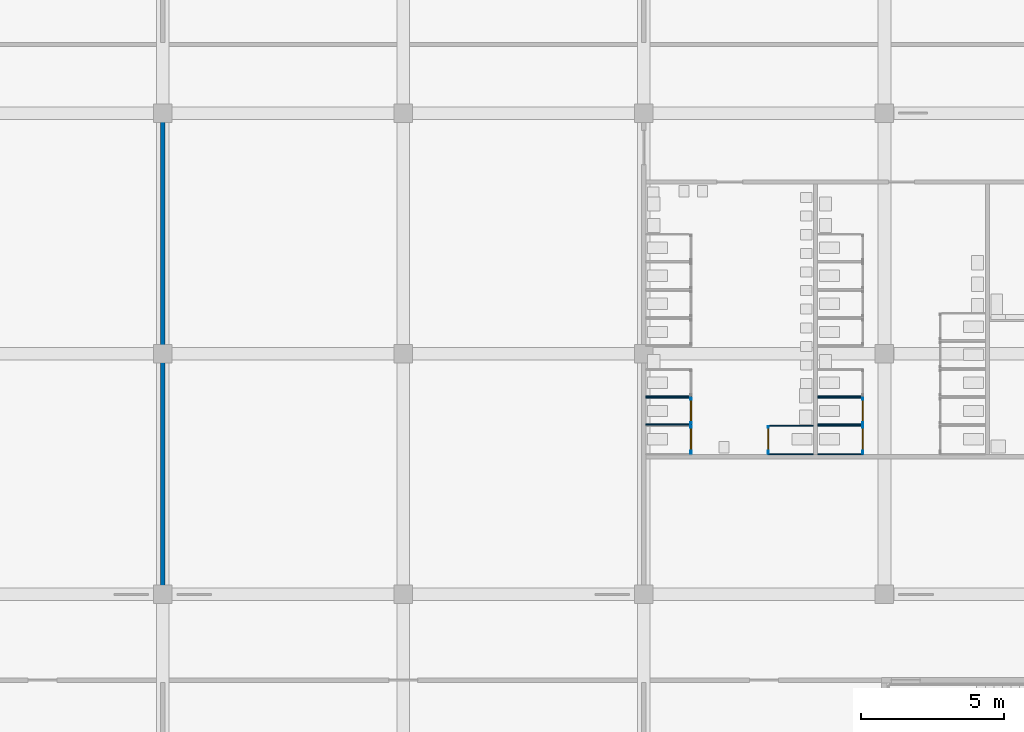
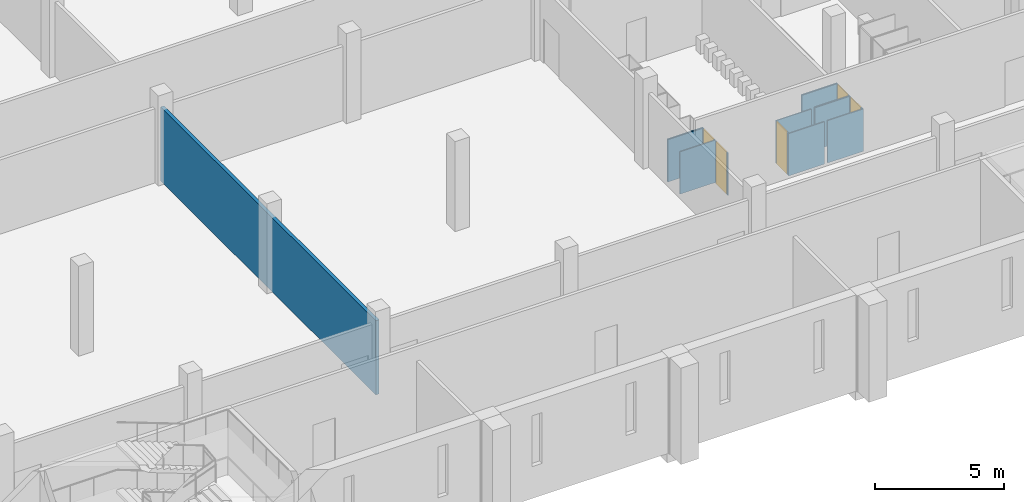
# One storey, part 31 of 64: 16 walls, 5 doors, 5 openings.
"""IFC4 building model written with IfcOpenShell, lengths in metres."""

from ifc_helpers import new_model, si_unit, direction, frame, frame_2d, origin, place, context, subcontext, project, spatial, rectangle, extrude, material, layer, layer_set, type_object, element, fill, save


model = new_model("IFC4")

# Units and contexts
model_context = context("Model", 3, precision=1e-05, world=origin(), true_north=direction((0.0, 1.0)))
body_context = subcontext(model_context, "Body", "Model", "MODEL_VIEW")
ifc_project = project(units=[si_unit("LENGTHUNIT", "METRE"), si_unit("AREAUNIT", "SQUARE_METRE"), si_unit("VOLUMEUNIT", "CUBIC_METRE"), si_unit("PLANEANGLEUNIT", "RADIAN"), si_unit("MASSUNIT", "GRAM", prefix="KILO")], contexts=[model_context])

# Site, building, storey
site_placement = place(None, origin())
site = spatial("IfcSite", under=ifc_project, at=site_placement, CompositionType="ELEMENT")
building_placement = place(site_placement, origin())
building = spatial("IfcBuilding", under=site, at=building_placement, Name="Rulbaag Community and Learning Centre", CompositionType="ELEMENT")
storey_placement = place(building_placement, frame((0.0, 0.0, 5.39990234375)))
storey = spatial("IfcBuildingStorey", under=building, at=storey_placement, Name="L01", CompositionType="ELEMENT", Elevation=5.39990234375)

# Wall, opening, door
ifc_material_1 = material(Name="High pressure laminate", Category="wood")
ifc_layer_1 = layer(ifc_material_1, 0.0400390625)
ifc_layer_set_1 = layer_set([ifc_layer_1], Name="CP-40")
wall_type_1 = type_object("IfcWallType", Name="CP-40", PredefinedType="PARTITIONING", material=ifc_layer_set_1)
wall_1_placement = place(storey_placement, frame((152.85009765625, 13.31494140625, 0.0), z_axis=(0.0, 0.0, 1.0), x_axis=(0.0, 1.0, 0.0)))
wall_1 = element("IfcWall", 1, at=wall_1_placement, inside=storey, type_object=wall_type_1, Name="Cubicle partition", PredefinedType="PARTITIONING", context=body_context, shape_type="SweptSolid", body=[
    extrude(rectangle(XDim=0.955078125, YDim=0.0400390625, at=frame_2d((0.4775390625, 0.0))), origin(), (0.0, 0.0, 1.0), 2.0),
])
opening_1_placement = place(wall_1_placement, frame((0.10498046875, 0.0, 0.0)))
opening_1 = element("IfcOpeningElement", 2, at=opening_1_placement, cuts=wall_1, Name="Opening L01-D115", PredefinedType="OPENING", context=body_context, shape_type="SweptSolid", body=[
    extrude(rectangle(XDim=0.800048828125, YDim=2.0, at=frame_2d((0.39990234375, 1.0))), frame((0.0, 0.030029296875, 0.0), z_axis=(0.0, -1.0, 0.0), x_axis=(1.0, 0.0, 0.0)), (0.0, 0.0, 1.0), 0.06005859375),
])
door_type = type_object("IfcDoorType", Name="DC-80", OperationType="SINGLE_SWING_LEFT", PredefinedType="DOOR", material=ifc_material_1)
door_1_placement = place(opening_1_placement, origin())
door_1 = element("IfcDoor", 3, at=door_1_placement, inside=storey, type_object=door_type, Name="Cubicle door", OperationType="SINGLE_SWING_LEFT", OverallHeight=2.0, OverallWidth=0.800048828125, PredefinedType="DOOR", context=body_context, shape_type="SweptSolid", body=[
    extrude(rectangle(XDim=0.800048828125, YDim=2.0, at=frame_2d((0.39990234375, 1.0))), frame((0.0, 0.019775390625, 0.0), z_axis=(0.0, -1.0, 0.0), x_axis=(1.0, 0.0, 0.0)), (0.0, 0.0, 1.0), 0.03955078125),
])
fill(opening_1, door_1)

# Walls
for number, where, z_axis, x_axis, name in (
    (4, (151.27490234375, 14.330078125, 0.0), (0.0, 0.0, 1.0), (1.0, 0.0, 0.0), "Cubicle partition"),
    (5, (151.27490234375, 15.27001953125, 0.0), (0.0, 0.0, 1.0), (1.0, 0.0, 0.0), "Cubicle partition"),
):
    element("IfcWall", number, at=place(storey_placement, frame(where, z_axis=z_axis, x_axis=x_axis)), inside=storey, type_object=wall_type_1, Name=name, PredefinedType="PARTITIONING", context=body_context, shape_type="SweptSolid", body=[
        extrude(rectangle(XDim=1.59521484375, YDim=0.0400390625, at=frame_2d((0.797607421875, 0.0))), origin(), (0.0, 0.0, 1.0), 2.0),
    ])

# Wall, opening, door
wall_2_placement = place(storey_placement, frame((152.85009765625, 14.35009765625, 0.0), z_axis=(0.0, 0.0, 1.0), x_axis=(0.0, 1.0, 0.0)))
wall_2 = element("IfcWall", 6, at=wall_2_placement, inside=storey, type_object=wall_type_1, Name="Cubicle partition", PredefinedType="PARTITIONING", context=body_context, shape_type="SweptSolid", body=[
    extrude(rectangle(XDim=0.89990234375, YDim=0.0400390625, at=frame_2d((0.449951171875, 0.0))), origin(), (0.0, 0.0, 1.0), 2.0),
])
opening_2_placement = place(wall_2_placement, frame((0.050048828125, 0.0, 0.0)))
opening_2 = element("IfcOpeningElement", 7, at=opening_2_placement, cuts=wall_2, Name="Opening L01-D116", PredefinedType="OPENING", context=body_context, shape_type="SweptSolid", body=[
    extrude(rectangle(XDim=0.800048828125, YDim=2.0, at=frame_2d((0.39990234375, 1.0))), frame((0.0, 0.030029296875, 0.0), z_axis=(0.0, -1.0, 0.0), x_axis=(1.0, 0.0, 0.0)), (0.0, 0.0, 1.0), 0.06005859375),
])
door_2_placement = place(opening_2_placement, origin())
door_2 = element("IfcDoor", 8, at=door_2_placement, inside=storey, type_object=door_type, Name="Cubicle door", OperationType="SINGLE_SWING_LEFT", OverallHeight=2.0, OverallWidth=0.800048828125, PredefinedType="DOOR", context=body_context, shape_type="SweptSolid", body=[
    extrude(rectangle(XDim=0.800048828125, YDim=2.0, at=frame_2d((0.39990234375, 1.0))), frame((0.0, 0.019775390625, 0.0), z_axis=(0.0, -1.0, 0.0), x_axis=(1.0, 0.0, 0.0)), (0.0, 0.0, 1.0), 0.03955078125),
])
fill(opening_2, door_2)

# Walls
wall_3_placement = place(storey_placement, frame((151.27490234375, 15.31005859375, 0.0), z_axis=(0.0, 0.0, 1.0), x_axis=(1.0, 0.0, 0.0)))
element("IfcWall", 9, at=wall_3_placement, inside=storey, type_object=wall_type_1, Name="Cubicle partition", PredefinedType="PARTITIONING", context=body_context, shape_type="SweptSolid", body=[
    extrude(rectangle(XDim=1.59521484375, YDim=0.0400390625, at=frame_2d((0.797607421875, 0.0))), origin(), (0.0, 0.0, 1.0), 2.0),
])
for number, where, z_axis, x_axis, name in (
    (10, (157.125, 13.294921875, 0.0), (0.0, 0.0, 1.0), (-1.0, 0.0, 0.0), "Cubicle partition"),
    (11, (157.125, 14.2900390625, 0.0), (0.0, 0.0, 1.0), (-1.0, 0.0, 0.0), "Cubicle partition"),
):
    element("IfcWall", number, at=place(storey_placement, frame(where, z_axis=z_axis, x_axis=x_axis)), inside=storey, type_object=wall_type_1, Name=name, PredefinedType="PARTITIONING", context=body_context, shape_type="SweptSolid", body=[
        extrude(rectangle(XDim=1.594970703125, YDim=0.0400390625, at=frame_2d((0.79736328125, 0.0))), origin(), (0.0, 0.0, 1.0), 2.0),
    ])

# Wall, opening, door
wall_4_placement = place(storey_placement, frame((155.550048828125, 13.31494140625, 0.0), z_axis=(0.0, 0.0, 1.0), x_axis=(0.0, 1.0, 0.0)))
wall_4 = element("IfcWall", 12, at=wall_4_placement, inside=storey, type_object=wall_type_1, Name="Cubicle partition", PredefinedType="PARTITIONING", context=body_context, shape_type="SweptSolid", body=[
    extrude(rectangle(XDim=0.955078125, YDim=0.0400390625, at=frame_2d((0.4775390625, 0.0))), origin(), (0.0, 0.0, 1.0), 2.0),
])
opening_3_placement = place(wall_4_placement, frame((0.10498046875, 0.0, 0.0)))
opening_3 = element("IfcOpeningElement", 13, at=opening_3_placement, cuts=wall_4, Name="Opening L01-D128", PredefinedType="OPENING", context=body_context, shape_type="SweptSolid", body=[
    extrude(rectangle(XDim=0.800048828125, YDim=2.0, at=frame_2d((0.39990234375, 1.0))), frame((0.0, 0.030029296875, 0.0), z_axis=(0.0, -1.0, 0.0), x_axis=(1.0, 0.0, 0.0)), (0.0, 0.0, 1.0), 0.06005859375),
])
door_3_placement = place(opening_3_placement, origin())
door_3 = element("IfcDoor", 14, at=door_3_placement, inside=storey, type_object=door_type, Name="Cubicle door", OperationType="SINGLE_SWING_LEFT", OverallHeight=2.0, OverallWidth=0.800048828125, PredefinedType="DOOR", context=body_context, shape_type="SweptSolid", body=[
    extrude(rectangle(XDim=0.800048828125, YDim=2.0, at=frame_2d((0.39990234375, 1.0))), frame((0.0, 0.019775390625, 0.0), z_axis=(0.0, -1.0, 0.0), x_axis=(1.0, 0.0, 0.0)), (0.0, 0.0, 1.0), 0.03955078125),
])
fill(opening_3, door_3)

# Walls
for number, where, z_axis, x_axis, name in (
    (15, (157.27490234375, 13.294921875, 0.0), (0.0, 0.0, 1.0), (1.0, 0.0, 0.0), "Cubicle partition"),
    (16, (157.27490234375, 14.2900390625, 0.0), (0.0, 0.0, 1.0), (1.0, 0.0, 0.0), "Cubicle partition"),
):
    element("IfcWall", number, at=place(storey_placement, frame(where, z_axis=z_axis, x_axis=x_axis)), inside=storey, type_object=wall_type_1, Name=name, PredefinedType="PARTITIONING", context=body_context, shape_type="SweptSolid", body=[
        extrude(rectangle(XDim=1.59521484375, YDim=0.0400390625, at=frame_2d((0.797607421875, 0.0))), origin(), (0.0, 0.0, 1.0), 2.0),
    ])

# Wall, opening, door
wall_5_placement = place(storey_placement, frame((158.85009765625, 13.31494140625, 0.0), z_axis=(0.0, 0.0, 1.0), x_axis=(0.0, 1.0, 0.0)))
wall_5 = element("IfcWall", 17, at=wall_5_placement, inside=storey, type_object=wall_type_1, Name="Cubicle partition", PredefinedType="PARTITIONING", context=body_context, shape_type="SweptSolid", body=[
    extrude(rectangle(XDim=0.955078125, YDim=0.0400390625, at=frame_2d((0.4775390625, 0.0))), origin(), (0.0, 0.0, 1.0), 2.0),
])
opening_4_placement = place(wall_5_placement, frame((0.10498046875, 0.0, 0.0)))
opening_4 = element("IfcOpeningElement", 18, at=opening_4_placement, cuts=wall_5, Name="Opening L01-D132", PredefinedType="OPENING", context=body_context, shape_type="SweptSolid", body=[
    extrude(rectangle(XDim=0.800048828125, YDim=2.0, at=frame_2d((0.39990234375, 1.0))), frame((0.0, 0.030029296875, 0.0), z_axis=(0.0, -1.0, 0.0), x_axis=(1.0, 0.0, 0.0)), (0.0, 0.0, 1.0), 0.06005859375),
])
door_4_placement = place(opening_4_placement, origin())
door_4 = element("IfcDoor", 19, at=door_4_placement, inside=storey, type_object=door_type, Name="Cubicle door", OperationType="SINGLE_SWING_LEFT", OverallHeight=2.0, OverallWidth=0.800048828125, PredefinedType="DOOR", context=body_context, shape_type="SweptSolid", body=[
    extrude(rectangle(XDim=0.800048828125, YDim=2.0, at=frame_2d((0.39990234375, 1.0))), frame((0.0, 0.019775390625, 0.0), z_axis=(0.0, -1.0, 0.0), x_axis=(1.0, 0.0, 0.0)), (0.0, 0.0, 1.0), 0.03955078125),
])
fill(opening_4, door_4)

# Walls
for number, where, z_axis, x_axis, name in (
    (20, (157.27490234375, 14.330078125, 0.0), (0.0, 0.0, 1.0), (1.0, 0.0, 0.0), "Cubicle partition"),
    (21, (157.27490234375, 15.27001953125, 0.0), (0.0, 0.0, 1.0), (1.0, 0.0, 0.0), "Cubicle partition"),
):
    element("IfcWall", number, at=place(storey_placement, frame(where, z_axis=z_axis, x_axis=x_axis)), inside=storey, type_object=wall_type_1, Name=name, PredefinedType="PARTITIONING", context=body_context, shape_type="SweptSolid", body=[
        extrude(rectangle(XDim=1.59521484375, YDim=0.0400390625, at=frame_2d((0.797607421875, 0.0))), origin(), (0.0, 0.0, 1.0), 2.0),
    ])

# Wall, opening, door
wall_6_placement = place(storey_placement, frame((158.85009765625, 14.35009765625, 0.0), z_axis=(0.0, 0.0, 1.0), x_axis=(0.0, 1.0, 0.0)))
wall_6 = element("IfcWall", 22, at=wall_6_placement, inside=storey, type_object=wall_type_1, Name="Cubicle partition", PredefinedType="PARTITIONING", context=body_context, shape_type="SweptSolid", body=[
    extrude(rectangle(XDim=0.89990234375, YDim=0.0400390625, at=frame_2d((0.449951171875, 0.0))), origin(), (0.0, 0.0, 1.0), 2.0),
])
opening_5_placement = place(wall_6_placement, frame((0.050048828125, 0.0, 0.0)))
opening_5 = element("IfcOpeningElement", 23, at=opening_5_placement, cuts=wall_6, Name="Opening L01-D133", PredefinedType="OPENING", context=body_context, shape_type="SweptSolid", body=[
    extrude(rectangle(XDim=0.800048828125, YDim=2.0, at=frame_2d((0.39990234375, 1.0))), frame((0.0, 0.030029296875, 0.0), z_axis=(0.0, -1.0, 0.0), x_axis=(1.0, 0.0, 0.0)), (0.0, 0.0, 1.0), 0.06005859375),
])
door_5_placement = place(opening_5_placement, origin())
door_5 = element("IfcDoor", 24, at=door_5_placement, inside=storey, type_object=door_type, Name="Cubicle door", OperationType="SINGLE_SWING_LEFT", OverallHeight=2.0, OverallWidth=0.800048828125, PredefinedType="DOOR", context=body_context, shape_type="SweptSolid", body=[
    extrude(rectangle(XDim=0.800048828125, YDim=2.0, at=frame_2d((0.39990234375, 1.0))), frame((0.0, 0.019775390625, 0.0), z_axis=(0.0, -1.0, 0.0), x_axis=(1.0, 0.0, 0.0)), (0.0, 0.0, 1.0), 0.03955078125),
])
fill(opening_5, door_5)

# Walls
wall_7_placement = place(storey_placement, frame((157.27490234375, 15.31005859375, 0.0), z_axis=(0.0, 0.0, 1.0), x_axis=(1.0, 0.0, 0.0)))
element("IfcWall", 25, at=wall_7_placement, inside=storey, type_object=wall_type_1, Name="Cubicle partition", PredefinedType="PARTITIONING", context=body_context, shape_type="SweptSolid", body=[
    extrude(rectangle(XDim=1.59521484375, YDim=0.0400390625, at=frame_2d((0.797607421875, 0.0))), origin(), (0.0, 0.0, 1.0), 2.0),
])
ifc_material_2 = material(Name="Concrete blockwork", Category="masonry")
ifc_layer_2 = layer(ifc_material_2, 0.14990234375)
ifc_layer_set_2 = layer_set([ifc_layer_2], Name="IP-150 PARTITION 150")
wall_type_2 = type_object("IfcWallType", Name="IP-150 PARTITION 150", PredefinedType="PARTITIONING", material=ifc_layer_set_2)
wall_8_placement = place(storey_placement, frame((134.39990234375, 8.47509765625, 0.0), z_axis=(0.0, 0.0, 1.0), x_axis=(0.0, 1.0, 0.0)))
element("IfcWall", 26, at=wall_8_placement, inside=storey, type_object=wall_type_2, Name="Partition L01 73", PredefinedType="PARTITIONING", context=body_context, shape_type="SweptSolid", body=[
    extrude(rectangle(XDim=16.64990234375, YDim=0.14990234375, at=frame_2d((8.324951171875, 0.0))), origin(), (0.0, 0.0, 1.0), 3.5),
])

save(model, "model.ifc")
